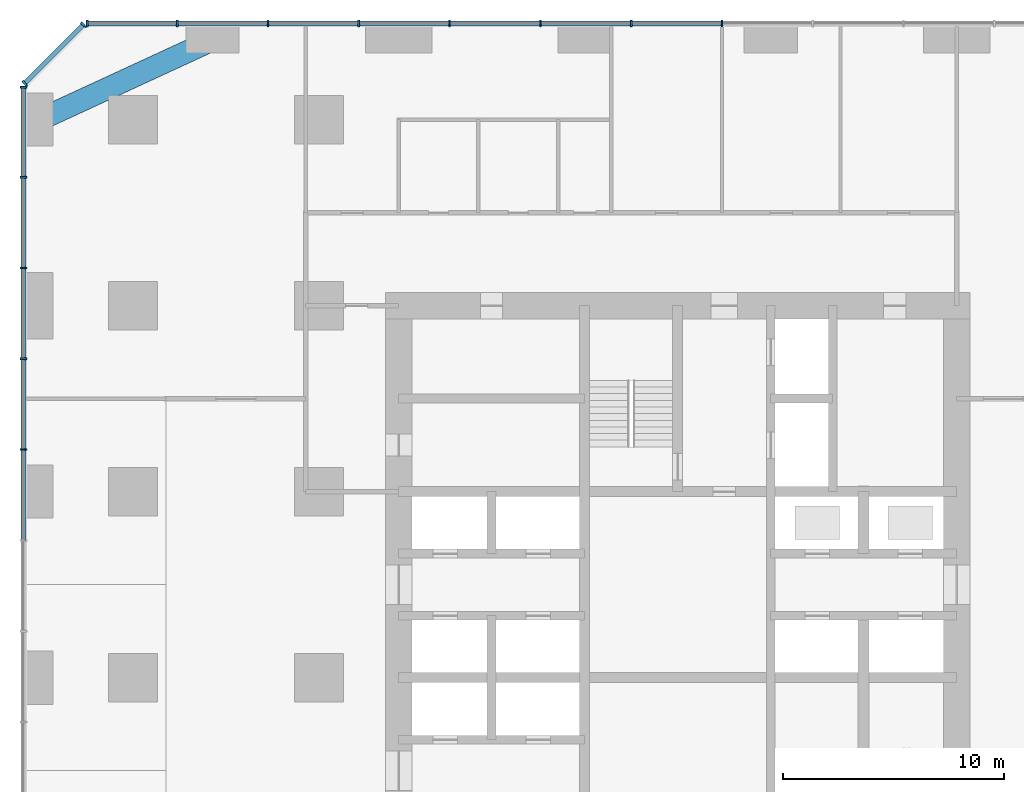
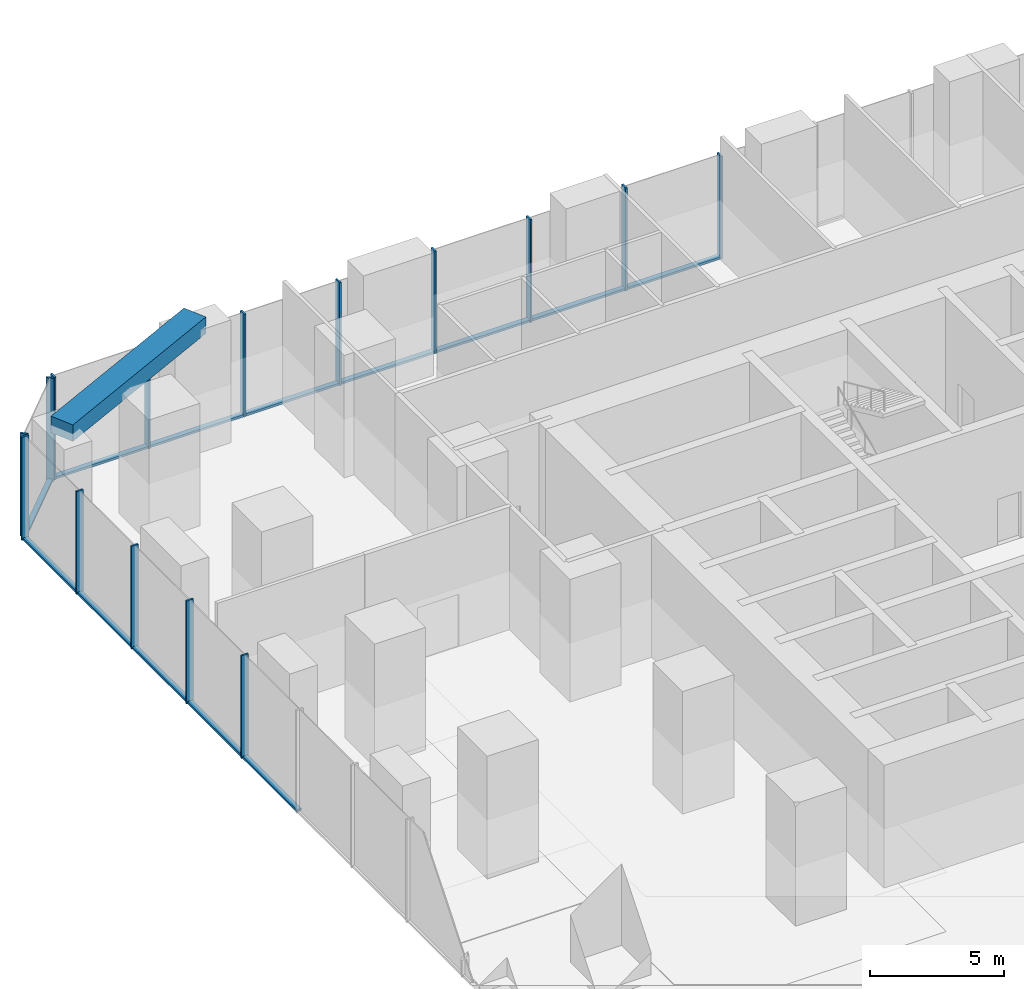
# One storey, part 4 of 13: 28 members, 1 beam, 3 elements without a shape of their own.
"""IFC4 building model written with IfcOpenShell, lengths in metres."""

from ifc_helpers import new_model, si_unit, direction, frame, origin, origin_2d, place, context, subcontext, project, spatial, rectangle, extrude, material, material_profile, profile_set, type_object, element, aggregate, save


model = new_model("IFC4")

# Units and contexts
model_context = context("Model", 3, precision=1e-05, world=origin(), true_north=direction((0.0, 1.0)))
body_context = subcontext(model_context, "Body", "Model", "MODEL_VIEW")
ifc_project = project(units=[si_unit("LENGTHUNIT", "METRE"), si_unit("AREAUNIT", "SQUARE_METRE"), si_unit("VOLUMEUNIT", "CUBIC_METRE"), si_unit("PLANEANGLEUNIT", "RADIAN"), si_unit("MASSUNIT", "GRAM", prefix="KILO")], contexts=[model_context])

# Site, building, storey
site_placement = place(None, origin())
site = spatial("IfcSite", under=ifc_project, at=site_placement, CompositionType="ELEMENT")
building_placement = place(site_placement, origin())
building = spatial("IfcBuilding", under=site, at=building_placement, Name="Dunama Terrace Hotel", CompositionType="ELEMENT")
storey_placement = place(building_placement, frame((0.0, 0.0, 147.60009765625)))
storey = spatial("IfcBuildingStorey", under=building, at=storey_placement, Name="L38", CompositionType="ELEMENT", Elevation=147.60009765625)

# Curtain wall, members
ifc_material_1 = material(Name="Aluminium curtain wall system", Category="aluminium")
curtain_wall_type = type_object("IfcCurtainWallType", Name="Sky lobby glazing CW-F", PredefinedType="NOTDEFINED", material=ifc_material_1)
curtain_wall_1_placement = place(storey_placement, origin())
curtain_wall_1 = element("IfcCurtainWall", 1, at=curtain_wall_1_placement, inside=storey, type_object=curtain_wall_type, Name="Sky lobby glazing CW-F L38", PredefinedType="NOTDEFINED")
ifc_material_2 = material(Name="Aluminium mullion", Category="aluminium")
ifc_material_profile_1 = material_profile(ifc_material_2, rectangle(XDim=0.080078125, YDim=0.300048828125, at=origin_2d()), Name="CWF MULLION 80X300")
ifc_profile_set_1 = profile_set([ifc_material_profile_1], Name="Aluminium mullion")
member_type_1 = type_object("IfcMemberType", Name="CWF mullion 80x300", PredefinedType="MULLION", material=ifc_profile_set_1)
member_1_placement = place(storey_placement, frame((31.39990234375, 54.75, 0.0), z_axis=(0.0, 0.0, 1.0), x_axis=(-1.0, 0.0, 0.0)))
member_1 = element("IfcMember", 2, at=member_1_placement, type_object=member_type_1, Name="CWF mullion", PredefinedType="MULLION", context=body_context, shape_type="SweptSolid", body=[
    extrude(rectangle(XDim=0.080078125, YDim=0.300048828125, at=origin_2d()), origin(), (0.0, 0.0, 1.0), 4.678955078125),
])
member_2_placement = place(storey_placement, frame((27.300048828125, 54.75, 0.0), z_axis=(0.0, 0.0, 1.0), x_axis=(-1.0, 0.0, 0.0)))
member_2 = element("IfcMember", 3, at=member_2_placement, type_object=member_type_1, Name="CWF mullion", PredefinedType="MULLION", context=body_context, shape_type="SweptSolid", body=[
    extrude(rectangle(XDim=0.080078125, YDim=0.300048828125, at=origin_2d()), origin(), (0.0, 0.0, 1.0), 4.678955078125),
])
member_3_placement = place(storey_placement, frame((23.199951171875, 54.75, 0.0), z_axis=(0.0, 0.0, 1.0), x_axis=(-1.0, 0.0, 0.0)))
member_3 = element("IfcMember", 4, at=member_3_placement, type_object=member_type_1, Name="CWF mullion", PredefinedType="MULLION", context=body_context, shape_type="SweptSolid", body=[
    extrude(rectangle(XDim=0.080078125, YDim=0.300048828125, at=origin_2d()), origin(), (0.0, 0.0, 1.0), 4.678955078125),
])
member_4_placement = place(storey_placement, frame((19.10009765625, 54.75, 0.0), z_axis=(0.0, 0.0, 1.0), x_axis=(-1.0, 0.0, 0.0)))
member_4 = element("IfcMember", 5, at=member_4_placement, type_object=member_type_1, Name="CWF mullion", PredefinedType="MULLION", context=body_context, shape_type="SweptSolid", body=[
    extrude(rectangle(XDim=0.080078125, YDim=0.300048828125, at=origin_2d()), origin(), (0.0, 0.0, 1.0), 4.678955078125),
])
member_5_placement = place(storey_placement, frame((15.0, 54.75, 0.0), z_axis=(0.0, 0.0, 1.0), x_axis=(-1.0, 0.0, 0.0)))
member_5 = element("IfcMember", 6, at=member_5_placement, type_object=member_type_1, Name="CWF mullion", PredefinedType="MULLION", context=body_context, shape_type="SweptSolid", body=[
    extrude(rectangle(XDim=0.080078125, YDim=0.300048828125, at=origin_2d()), origin(), (0.0, 0.0, 1.0), 4.678955078125),
])
member_6_placement = place(storey_placement, frame((10.89990234375, 54.75, 0.0), z_axis=(0.0, 0.0, 1.0), x_axis=(-1.0, 0.0, 0.0)))
member_6 = element("IfcMember", 7, at=member_6_placement, type_object=member_type_1, Name="CWF mullion", PredefinedType="MULLION", context=body_context, shape_type="SweptSolid", body=[
    extrude(rectangle(XDim=0.080078125, YDim=0.300048828125, at=origin_2d()), origin(), (0.0, 0.0, 1.0), 4.678955078125),
])
member_7_placement = place(storey_placement, frame((6.800048828125, 54.75, 0.0), z_axis=(0.0, 0.0, 1.0), x_axis=(-1.0, 0.0, 0.0)))
member_7 = element("IfcMember", 8, at=member_7_placement, type_object=member_type_1, Name="CWF mullion", PredefinedType="MULLION", context=body_context, shape_type="SweptSolid", body=[
    extrude(rectangle(XDim=0.080078125, YDim=0.300048828125, at=origin_2d()), origin(), (0.0, 0.0, 1.0), 4.678955078125),
])
member_8_placement = place(storey_placement, frame((2.739990234375, 54.75, 0.0), z_axis=(0.0, 0.0, 1.0), x_axis=(-1.0, 0.0, 0.0)))
member_8 = element("IfcMember", 9, at=member_8_placement, type_object=member_type_1, Name="CWF mullion", PredefinedType="MULLION", context=body_context, shape_type="SweptSolid", body=[
    extrude(rectangle(XDim=0.080078125, YDim=0.300048828125, at=origin_2d()), origin(), (0.0, 0.0, 1.0), 4.678955078125),
])

curtain_wall_2_placement = place(storey_placement, origin())
curtain_wall_2 = element("IfcCurtainWall", 10, at=curtain_wall_2_placement, inside=storey, type_object=curtain_wall_type, Name="Sky lobby glazing CW-F L38", PredefinedType="NOTDEFINED")
member_9_placement = place(storey_placement, frame((2.56591796875, 54.677978515625, 0.0), z_axis=(0.0, 0.0, 1.0), x_axis=(-0.707106781187, -0.707106781187, 0.0)))
member_9 = element("IfcMember", 11, at=member_9_placement, type_object=member_type_1, Name="CWF mullion", PredefinedType="MULLION", context=body_context, shape_type="SweptSolid", body=[
    extrude(rectangle(XDim=0.080078125, YDim=0.300048828125, at=origin_2d()), origin(), (0.0, 0.0, 1.0), 4.678955078125),
])
member_10_placement = place(storey_placement, frame((-0.077880859375, 52.033935546875, 0.0), z_axis=(0.0, 0.0, 1.0), x_axis=(-0.707106781187, -0.707106781187, 0.0)))
member_10 = element("IfcMember", 12, at=member_10_placement, type_object=member_type_1, Name="CWF mullion", PredefinedType="MULLION", context=body_context, shape_type="SweptSolid", body=[
    extrude(rectangle(XDim=0.080078125, YDim=0.300048828125, at=origin_2d()), origin(), (0.0, 0.0, 1.0), 4.678955078125),
])

curtain_wall_3_placement = place(storey_placement, origin())
curtain_wall_3 = element("IfcCurtainWall", 13, at=curtain_wall_3_placement, inside=storey, type_object=curtain_wall_type, Name="Sky lobby glazing CW-F L38", PredefinedType="NOTDEFINED")
member_11_placement = place(storey_placement, frame((-0.14990234375, 51.860107421875, 0.0), z_axis=(0.0, 0.0, 1.0), x_axis=(0.0, -1.0, 0.0)))
member_11 = element("IfcMember", 14, at=member_11_placement, type_object=member_type_1, Name="CWF mullion", PredefinedType="MULLION", context=body_context, shape_type="SweptSolid", body=[
    extrude(rectangle(XDim=0.080078125, YDim=0.300048828125, at=origin_2d()), origin(), (0.0, 0.0, 1.0), 4.678955078125),
])
member_12_placement = place(storey_placement, frame((-0.14990234375, 47.800048828125, 0.0), z_axis=(0.0, 0.0, 1.0), x_axis=(0.0, -1.0, 0.0)))
member_12 = element("IfcMember", 15, at=member_12_placement, type_object=member_type_1, Name="CWF mullion", PredefinedType="MULLION", context=body_context, shape_type="SweptSolid", body=[
    extrude(rectangle(XDim=0.080078125, YDim=0.300048828125, at=origin_2d()), origin(), (0.0, 0.0, 1.0), 4.678955078125),
])
member_13_placement = place(storey_placement, frame((-0.14990234375, 43.699951171875, 0.0), z_axis=(0.0, 0.0, 1.0), x_axis=(0.0, -1.0, 0.0)))
member_13 = element("IfcMember", 16, at=member_13_placement, type_object=member_type_1, Name="CWF mullion", PredefinedType="MULLION", context=body_context, shape_type="SweptSolid", body=[
    extrude(rectangle(XDim=0.080078125, YDim=0.300048828125, at=origin_2d()), origin(), (0.0, 0.0, 1.0), 4.678955078125),
])
member_14_placement = place(storey_placement, frame((-0.14990234375, 39.60009765625, 0.0), z_axis=(0.0, 0.0, 1.0), x_axis=(0.0, -1.0, 0.0)))
member_14 = element("IfcMember", 17, at=member_14_placement, type_object=member_type_1, Name="CWF mullion", PredefinedType="MULLION", context=body_context, shape_type="SweptSolid", body=[
    extrude(rectangle(XDim=0.080078125, YDim=0.300048828125, at=origin_2d()), origin(), (0.0, 0.0, 1.0), 4.678955078125),
])
member_15_placement = place(storey_placement, frame((-0.14990234375, 35.5, 0.0), z_axis=(0.0, 0.0, 1.0), x_axis=(0.0, -1.0, 0.0)))
member_15 = element("IfcMember", 18, at=member_15_placement, type_object=member_type_1, Name="CWF mullion", PredefinedType="MULLION", context=body_context, shape_type="SweptSolid", body=[
    extrude(rectangle(XDim=0.080078125, YDim=0.300048828125, at=origin_2d()), origin(), (0.0, 0.0, 1.0), 4.678955078125),
])

# Member
ifc_material_3 = material(Name="Aluminium transom", Category="aluminium")
ifc_material_profile_2 = material_profile(ifc_material_3, rectangle(XDim=0.219970703125, YDim=0.10009765625, at=origin_2d()), Name="CWF TRANSOM 220X100")
ifc_profile_set_2 = profile_set([ifc_material_profile_2], Name="Aluminium transom")
member_type_2 = type_object("IfcMemberType", Name="CWF transom 220x100", PredefinedType="USERDEFINED", material=ifc_profile_set_2)
member_16_placement = place(storey_placement, frame((31.360107421875, 54.75, 0.0498046875), z_axis=(-1.0, 0.0, 0.0), x_axis=(0.0, -1.0, 0.0)))
member_16 = element("IfcMember", 19, at=member_16_placement, type_object=member_type_2, Name="CWF transom", ObjectType="TRANSOM", PredefinedType="USERDEFINED", context=body_context, shape_type="SweptSolid", body=[
    extrude(rectangle(XDim=0.219970703125, YDim=0.10009765625, at=origin_2d()), origin(), (0.0, 0.0, 1.0), 4.02001953125),
])

member_17_placement = place(storey_placement, frame((27.260009765625, 54.75, 0.0498046875), z_axis=(-1.0, 0.0, 0.0), x_axis=(0.0, -1.0, 0.0)))
member_17 = element("IfcMember", 20, at=member_17_placement, type_object=member_type_2, Name="CWF transom", ObjectType="TRANSOM", PredefinedType="USERDEFINED", context=body_context, shape_type="SweptSolid", body=[
    extrude(rectangle(XDim=0.219970703125, YDim=0.10009765625, at=origin_2d()), origin(), (0.0, 0.0, 1.0), 4.02001953125),
])

member_18_placement = place(storey_placement, frame((23.159912109375, 54.75, 0.0498046875), z_axis=(-1.0, 0.0, 0.0), x_axis=(0.0, -1.0, 0.0)))
member_18 = element("IfcMember", 21, at=member_18_placement, type_object=member_type_2, Name="CWF transom", ObjectType="TRANSOM", PredefinedType="USERDEFINED", context=body_context, shape_type="SweptSolid", body=[
    extrude(rectangle(XDim=0.219970703125, YDim=0.10009765625, at=origin_2d()), origin(), (0.0, 0.0, 1.0), 4.02001953125),
])

member_19_placement = place(storey_placement, frame((19.06005859375, 54.75, 0.0498046875), z_axis=(-1.0, 0.0, 0.0), x_axis=(0.0, -1.0, 0.0)))
member_19 = element("IfcMember", 22, at=member_19_placement, type_object=member_type_2, Name="CWF transom", ObjectType="TRANSOM", PredefinedType="USERDEFINED", context=body_context, shape_type="SweptSolid", body=[
    extrude(rectangle(XDim=0.219970703125, YDim=0.10009765625, at=origin_2d()), origin(), (0.0, 0.0, 1.0), 4.02001953125),
])

member_20_placement = place(storey_placement, frame((14.9599609375, 54.75, 0.0498046875), z_axis=(-1.0, 0.0, 0.0), x_axis=(0.0, -1.0, 0.0)))
member_20 = element("IfcMember", 23, at=member_20_placement, type_object=member_type_2, Name="CWF transom", ObjectType="TRANSOM", PredefinedType="USERDEFINED", context=body_context, shape_type="SweptSolid", body=[
    extrude(rectangle(XDim=0.219970703125, YDim=0.10009765625, at=origin_2d()), origin(), (0.0, 0.0, 1.0), 4.02001953125),
])

member_21_placement = place(storey_placement, frame((10.860107421875, 54.75, 0.0498046875), z_axis=(-1.0, 0.0, 0.0), x_axis=(0.0, -1.0, 0.0)))
member_21 = element("IfcMember", 24, at=member_21_placement, type_object=member_type_2, Name="CWF transom", ObjectType="TRANSOM", PredefinedType="USERDEFINED", context=body_context, shape_type="SweptSolid", body=[
    extrude(rectangle(XDim=0.219970703125, YDim=0.10009765625, at=origin_2d()), origin(), (0.0, 0.0, 1.0), 4.02001953125),
])

member_22_placement = place(storey_placement, frame((6.760009765625, 54.75, 0.0498046875), z_axis=(-1.0, 0.0, 0.0), x_axis=(0.0, -1.0, 0.0)))
member_22 = element("IfcMember", 25, at=member_22_placement, type_object=member_type_2, Name="CWF transom", ObjectType="TRANSOM", PredefinedType="USERDEFINED", context=body_context, shape_type="SweptSolid", body=[
    extrude(rectangle(XDim=0.219970703125, YDim=0.10009765625, at=origin_2d()), origin(), (0.0, 0.0, 1.0), 3.97998046875),
])

aggregate(curtain_wall_1, [member_1, member_2, member_3, member_4, member_5, member_6, member_7, member_8, member_16, member_17, member_18, member_19, member_20, member_21, member_22])

member_23_placement = place(storey_placement, frame((2.537109375, 54.64892578125, 0.0498046875), z_axis=(-0.707140158108, -0.707073402689, 0.0), x_axis=(0.707073402689, -0.707140158108, 0.0)))
member_23 = element("IfcMember", 26, at=member_23_placement, type_object=member_type_2, Name="CWF transom", ObjectType="TRANSOM", PredefinedType="USERDEFINED", context=body_context, shape_type="SweptSolid", body=[
    extrude(rectangle(XDim=0.219970703125, YDim=0.10009765625, at=origin_2d()), origin(), (0.0, 0.0, 1.0), 3.6572265625),
])

aggregate(curtain_wall_2, [member_9, member_10, member_23])

member_24_placement = place(storey_placement, frame((-0.14990234375, 51.820068359375, 0.0498046875), z_axis=(0.0, -1.0, 0.0), x_axis=(1.0, 0.0, 0.0)))
member_24 = element("IfcMember", 27, at=member_24_placement, type_object=member_type_2, Name="CWF transom", ObjectType="TRANSOM", PredefinedType="USERDEFINED", context=body_context, shape_type="SweptSolid", body=[
    extrude(rectangle(XDim=0.219970703125, YDim=0.10009765625, at=origin_2d()), origin(), (0.0, 0.0, 1.0), 3.97998046875),
])

member_25_placement = place(storey_placement, frame((-0.14990234375, 47.760009765625, 0.0498046875), z_axis=(0.0, -1.0, 0.0), x_axis=(1.0, 0.0, 0.0)))
member_25 = element("IfcMember", 28, at=member_25_placement, type_object=member_type_2, Name="CWF transom", ObjectType="TRANSOM", PredefinedType="USERDEFINED", context=body_context, shape_type="SweptSolid", body=[
    extrude(rectangle(XDim=0.219970703125, YDim=0.10009765625, at=origin_2d()), origin(), (0.0, 0.0, 1.0), 4.02001953125),
])

member_26_placement = place(storey_placement, frame((-0.14990234375, 43.659912109375, 0.0498046875), z_axis=(0.0, -1.0, 0.0), x_axis=(1.0, 0.0, 0.0)))
member_26 = element("IfcMember", 29, at=member_26_placement, type_object=member_type_2, Name="CWF transom", ObjectType="TRANSOM", PredefinedType="USERDEFINED", context=body_context, shape_type="SweptSolid", body=[
    extrude(rectangle(XDim=0.219970703125, YDim=0.10009765625, at=origin_2d()), origin(), (0.0, 0.0, 1.0), 4.02001953125),
])

member_27_placement = place(storey_placement, frame((-0.14990234375, 39.56005859375, 0.0498046875), z_axis=(0.0, -1.0, 0.0), x_axis=(1.0, 0.0, 0.0)))
member_27 = element("IfcMember", 30, at=member_27_placement, type_object=member_type_2, Name="CWF transom", ObjectType="TRANSOM", PredefinedType="USERDEFINED", context=body_context, shape_type="SweptSolid", body=[
    extrude(rectangle(XDim=0.219970703125, YDim=0.10009765625, at=origin_2d()), origin(), (0.0, 0.0, 1.0), 4.02001953125),
])

member_28_placement = place(storey_placement, frame((-0.14990234375, 35.4599609375, 0.0498046875), z_axis=(0.0, -1.0, 0.0), x_axis=(1.0, 0.0, 0.0)))
member_28 = element("IfcMember", 31, at=member_28_placement, type_object=member_type_2, Name="CWF transom", ObjectType="TRANSOM", PredefinedType="USERDEFINED", context=body_context, shape_type="SweptSolid", body=[
    extrude(rectangle(XDim=0.219970703125, YDim=0.10009765625, at=origin_2d()), origin(), (0.0, 0.0, 1.0), 4.02001953125),
])

aggregate(curtain_wall_3, [member_11, member_12, member_13, member_14, member_15, member_24, member_25, member_26, member_27, member_28])

# Beam
ifc_material_4 = material(Name="Concrete C50/60", Category="concrete")
ifc_material_profile_3 = material_profile(ifc_material_4, rectangle(XDim=1.0, YDim=0.75, at=origin_2d()), Name="RC 1000x750")
ifc_profile_set_3 = profile_set([ifc_material_profile_3], Name="Concrete C50/60")
beam_type = type_object("IfcBeamType", Name="Edge beam RC 1000x750", PredefinedType="SPANDREL", material=ifc_profile_set_3)
beam_placement = place(storey_placement, frame((8.39990234375, 54.0, 5.625), z_axis=(-0.907951066374, -0.419076199598, 0.0), x_axis=(0.419076199598, -0.907951066374, 0.0)))
element("IfcBeam", 32, at=beam_placement, inside=storey, type_object=beam_type, Name="Corner edge beam under L39", PredefinedType="SPANDREL", context=body_context, shape_type="SweptSolid", body=[
    extrude(rectangle(XDim=1.0, YDim=0.75, at=origin_2d()), origin(), (0.0, 0.0, 1.0), 8.590576171875),
])

save(model, "model.ifc")
